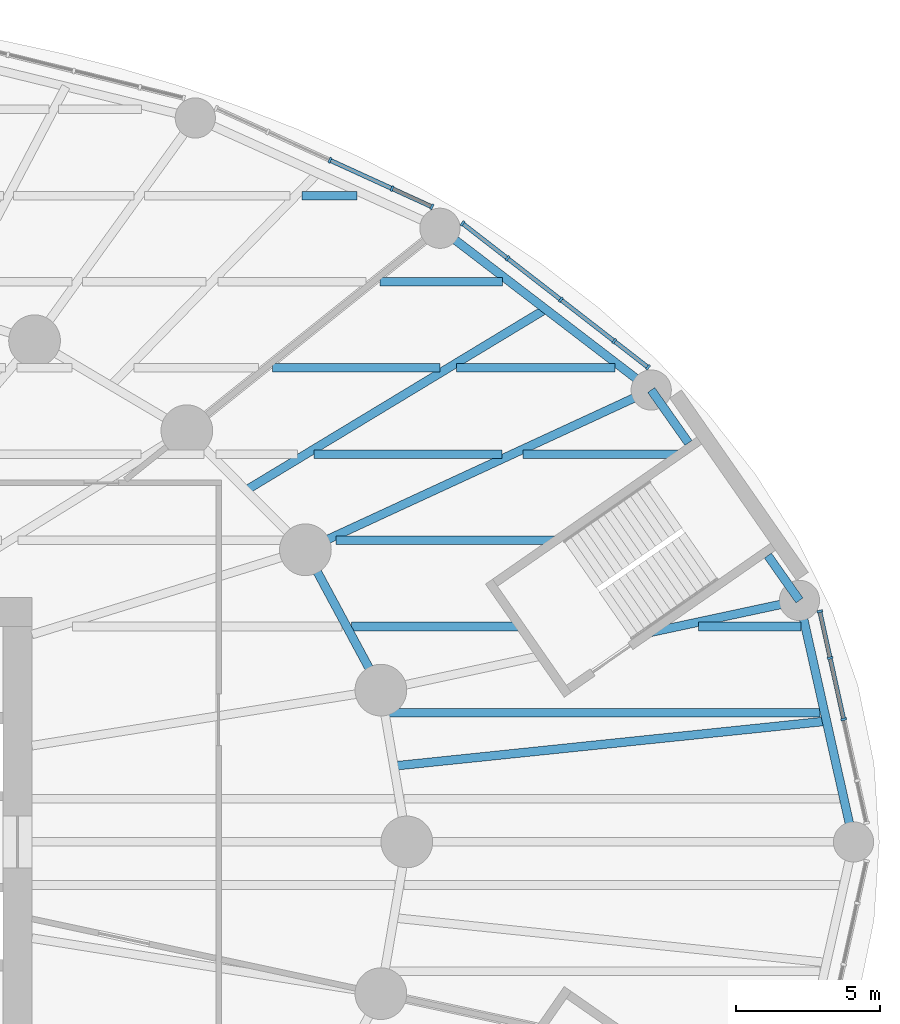
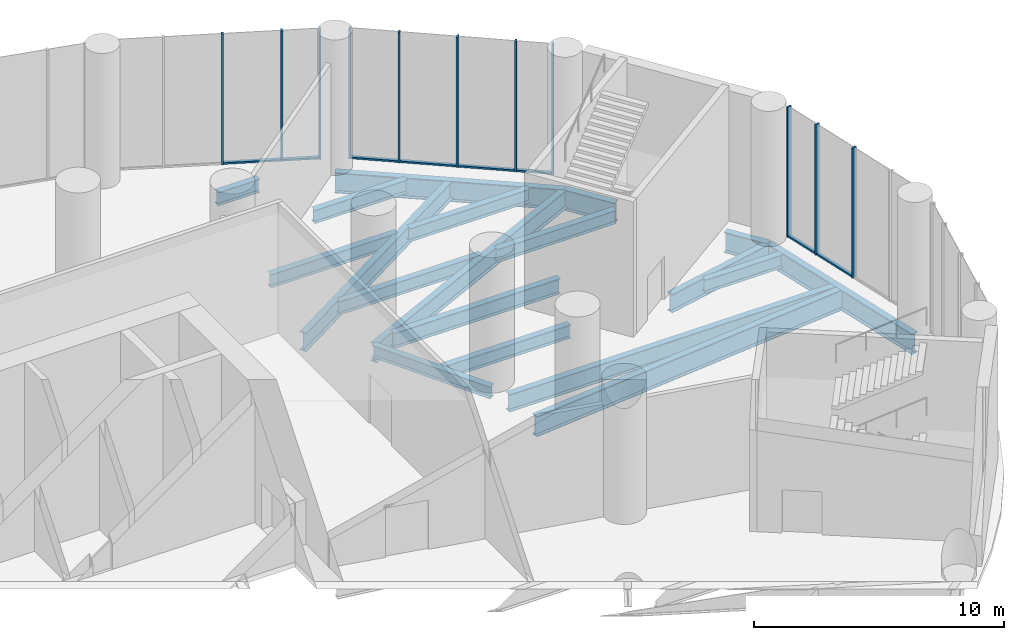
# One storey, part 12 of 22: 19 beams, 19 members, 3 elements without a shape of their own.
"""IFC4 building model written with IfcOpenShell, lengths in metres."""

import ifcopenshell
import ifcopenshell.guid

model = None  # the IFC model being written
_history = None  # IfcOwnerHistory: only IFC2X3 demands one
_inside = {}  # id of a spatial element -> (the spatial element, [elements in it])
_under = {}  # id of a project, library or spatial element -> (it, [spatial elements below it])
_declared = {}  # id of a project -> (the project, [libraries it declares])
_typed = {}  # id of a type object -> (the type object, [elements of that type])
_made_of = {}  # id of a material, layer set ... -> (it, [elements and type objects made of it])


def new_model(schema):
    """Start an empty IFC model of exactly this schema.

    Asked for "IFC4X3", IfcOpenShell would pick the latest addendum, in which some entities
    have other attributes; the version numbers below select the first issue.
    IFC2X3 requires an IfcOwnerHistory on every rooted entity: one is made here for all.
    """
    global model, _history
    if schema == "IFC4X3":
        model = ifcopenshell.file(schema_version=(4, 3, 0, 0))
    else:
        model = ifcopenshell.file(schema=schema)
    _inside.clear()
    _under.clear()
    _declared.clear()
    _typed.clear()
    _made_of.clear()
    _history = None
    if model.schema == "IFC2X3":
        org = make("IfcOrganization", Name="unknown")
        user = make(
            "IfcPersonAndOrganization",
            ThePerson=make("IfcPerson", FamilyName="unknown"),
            TheOrganization=org,
        )
        app = make(
            "IfcApplication",
            ApplicationDeveloper=org,
            Version="unknown",
            ApplicationFullName="unknown",
            ApplicationIdentifier="unknown",
        )
        _history = make(
            "IfcOwnerHistory",
            OwningUser=user,
            OwningApplication=app,
            ChangeAction="ADDED",
            CreationDate=0,
        )
    return model


def make(cls, **values):
    """One entity of the class cls with the attributes given. An attribute that is None is left unset."""
    return model.create_entity(
        cls, **{name: value for name, value in values.items() if value is not None}
    )


def rooted(cls, **values):
    """An entity with a GlobalId (a new one), such as an element, a storey or a relation."""
    return make(cls, GlobalId=ifcopenshell.guid.new(), OwnerHistory=_history, **values)


def si_unit(unit_type, name, prefix=None):
    """IfcSIUnit, for example si_unit("LENGTHUNIT", "METRE", prefix="MILLI")."""
    return make("IfcSIUnit", UnitType=unit_type, Prefix=prefix, Name=name)


def assignment(units):
    """IfcUnitAssignment: the units of a project."""
    return None if units is None else make("IfcUnitAssignment", Units=units)


def point(xyz):
    """IfcCartesianPoint."""
    return None if xyz is None else make("IfcCartesianPoint", Coordinates=xyz)


def direction(xyz):
    """IfcDirection."""
    return None if xyz is None else make("IfcDirection", DirectionRatios=xyz)


def frame(location, z_axis=None, x_axis=None):
    """IfcAxis2Placement3D, a coordinate frame: its origin and axes. An axis left out is left unset."""
    return make(
        "IfcAxis2Placement3D",
        Location=point(location),
        Axis=direction(z_axis),
        RefDirection=direction(x_axis),
    )


def frame_2d(location, x_axis=None):
    """IfcAxis2Placement2D, a coordinate frame in the plane: its origin and x axis."""
    return make(
        "IfcAxis2Placement2D", Location=point(location), RefDirection=direction(x_axis)
    )


def origin():
    """The frame at (0, 0, 0) with its axes left unset."""
    return frame((0.0, 0.0, 0.0))


def origin_2d():
    """The frame at (0, 0) in the plane with its x axis left unset."""
    return frame_2d((0.0, 0.0))


def place(relative_to, where):
    """IfcLocalPlacement: puts the frame where relative to a parent placement (None: the world)."""
    return make(
        "IfcLocalPlacement", PlacementRelTo=relative_to, RelativePlacement=where
    )


def context(
    kind, dimensions, precision=None, world=None, true_north=None, identifier=None
):
    """IfcGeometricRepresentationContext, for example the 3D "Model" context."""
    return make(
        "IfcGeometricRepresentationContext",
        ContextIdentifier=identifier,
        ContextType=kind,
        CoordinateSpaceDimension=dimensions,
        Precision=precision,
        WorldCoordinateSystem=world,
        TrueNorth=true_north,
    )


def subcontext(parent, identifier, kind, view, scale=None):
    """IfcGeometricRepresentationSubContext, for example "Body" below "Model"."""
    return make(
        "IfcGeometricRepresentationSubContext",
        ContextIdentifier=identifier,
        ContextType=kind,
        ParentContext=parent,
        TargetScale=scale,
        TargetView=view,
    )


def project(units=None, contexts=None):
    """IfcProject with its units and contexts."""
    return rooted(
        "IfcProject",
        Name="project",
        RepresentationContexts=contexts,
        UnitsInContext=assignment(units),
    )


def spatial(cls, under=None, at=None, **own):
    """A site, building, storey or space (cls), placed at a placement, below another one or the project."""
    s = rooted(cls, ObjectPlacement=at, **own)
    if under is not None:
        _under.setdefault(under.id(), (under, []))[1].append(s)
    return s


def profile(cls, at=None, kind="AREA", **sizes):
    """A parametric profile (cls). Its sizes go by their IFC names, for example OverallWidth=200.0."""
    return make(cls, ProfileType=kind, Position=at, **sizes)


def rectangle(**sizes):
    """IfcRectangleProfileDef."""
    return profile("IfcRectangleProfileDef", **sizes)


def i_section(**sizes):
    """IfcIShapeProfileDef."""
    return profile("IfcIShapeProfileDef", **sizes)


def extrude(swept, where, along, depth):
    """IfcExtrudedAreaSolid: the profile swept, set in the frame where, extruded along a direction by depth."""
    return make(
        "IfcExtrudedAreaSolid",
        SweptArea=swept,
        Position=where,
        ExtrudedDirection=direction(along),
        Depth=depth,
    )


def shape(context_of_items, identifier, shape_type, items):
    """IfcShapeRepresentation: the items that make up one representation, for example the "Body"."""
    return make(
        "IfcShapeRepresentation",
        ContextOfItems=context_of_items,
        RepresentationIdentifier=identifier,
        RepresentationType=shape_type,
        Items=items,
    )


def material(Name=None, Category=None):
    """IfcMaterial."""
    return make("IfcMaterial", Name=Name, Category=Category)


def material_profile(
    of_material, cross_section, Name=None, Category=None, Priority=None
):
    """IfcMaterialProfile: a cross section and its material."""
    return make(
        "IfcMaterialProfile",
        Name=Name,
        Material=of_material,
        Profile=cross_section,
        Priority=Priority,
        Category=Category,
    )


def profile_set(profiles, Name=None, composite=None):
    """IfcMaterialProfileSet."""
    return make(
        "IfcMaterialProfileSet",
        Name=Name,
        MaterialProfiles=profiles,
        CompositeProfile=composite,
    )


def made_of(thing, what):
    """Note that an element or type object is made of a material, layer set ...; save() writes the relation."""
    if what is not None:
        _made_of.setdefault(what.id(), (what, []))[1].append(thing)
    return thing


def type_object(cls, material=None, **own):
    """A type object (cls), such as IfcWallType, which elements share."""
    return made_of(rooted(cls, **own), material)


def element(
    cls,
    number,
    at=None,
    inside=None,
    cuts=None,
    type_object=None,
    material=None,
    context=None,
    identifier="Body",
    shape_type=None,
    held_by="IfcProductDefinitionShape",
    body=None,
    shapes=None,
    **own,
):
    """One element of the class cls, such as IfcWall. Its Tag is "e" and its number.

    at: its placement. inside: the storey or other place that contains it. cuts: it is an
    opening in that element (IfcRelVoidsElement). A single representation is given by context,
    identifier, shape_type and body (its items); several are given by shapes. held_by: the class
    of the entity that holds the representations. save() writes the other relations.
    """
    e = rooted(cls, Tag="e%d" % number, ObjectPlacement=at, **own)
    if body is not None:
        shapes = [shape(context, identifier, shape_type, body)]
    if shapes is not None:
        e.Representation = make(held_by, Representations=shapes)
    if inside is not None:
        _inside.setdefault(inside.id(), (inside, []))[1].append(e)
    if cuts is not None:
        rooted(
            "IfcRelVoidsElement", RelatingBuildingElement=cuts, RelatedOpeningElement=e
        )
    if type_object is not None:
        _typed.setdefault(type_object.id(), (type_object, []))[1].append(e)
    return made_of(e, material)


def aggregate(whole, parts):
    """IfcRelAggregates: a whole, such as a stair, and the parts it consists of."""
    return rooted("IfcRelAggregates", RelatingObject=whole, RelatedObjects=parts)


def save(model, path):
    """Write the relations noted so far, then the file.

    IfcRelAggregates (storeys below a building ...), IfcRelContainedInSpatialStructure (elements
    in a storey), IfcRelDefinesByType, IfcRelAssociatesMaterial and IfcRelDeclares: one each for
    every whole, place, type object, material and project.
    """
    for whole, parts in _under.values():
        aggregate(whole, parts)
    for where, things in _inside.values():
        rooted(
            "IfcRelContainedInSpatialStructure",
            RelatedElements=things,
            RelatingStructure=where,
        )
    for kind, things in _typed.values():
        rooted("IfcRelDefinesByType", RelatedObjects=things, RelatingType=kind)
    for what, things in _made_of.values():
        rooted("IfcRelAssociatesMaterial", RelatedObjects=things, RelatingMaterial=what)
    for by, libraries in _declared.values():
        rooted("IfcRelDeclares", RelatingContext=by, RelatedDefinitions=libraries)
    model.write(path)


model = new_model("IFC4")

# Units and contexts
model_context = context("Model", 3, precision=1e-05, world=origin(), true_north=direction((0.0, 1.0)))
body_context = subcontext(model_context, "Body", "Model", "MODEL_VIEW")
ifc_project = project(units=[si_unit("LENGTHUNIT", "METRE"), si_unit("AREAUNIT", "SQUARE_METRE"), si_unit("VOLUMEUNIT", "CUBIC_METRE"), si_unit("PLANEANGLEUNIT", "RADIAN"), si_unit("MASSUNIT", "GRAM", prefix="KILO")], contexts=[model_context])

# Site, building, storey
site_placement = place(None, origin())
site = spatial("IfcSite", under=ifc_project, at=site_placement, CompositionType="ELEMENT")
building_placement = place(site_placement, origin())
building = spatial("IfcBuilding", under=site, at=building_placement, Name="Hankou Lantern Tower", CompositionType="ELEMENT")
storey_placement = place(building_placement, frame((0.0, 0.0, 7.199951171875)))
storey = spatial("IfcBuildingStorey", under=building, at=storey_placement, Name="L01", CompositionType="ELEMENT", Elevation=7.199951171875)

# Beam
ifc_material_1 = material(Name="Steel Q355B", Category="steel")
ifc_material_profile_1 = material_profile(ifc_material_1, i_section(OverallWidth=0.300048828125, OverallDepth=0.587890625, WebThickness=0.011962890625, FlangeThickness=0.02001953125, FilletRadius=0.01806640625, at=origin_2d()), Name="HM588x300x12x20")
ifc_profile_set_1 = profile_set([ifc_material_profile_1], Name="Steel Q355B")
beam_type_1 = type_object("IfcBeamType", Name="EB16 RING BEAM HM588x300x12x20", PredefinedType="SPANDREL", material=ifc_profile_set_1)
beam_1_placement = place(storey_placement, frame((24.64697265625, 5.283203125, -0.5439453125), z_axis=(-0.473609096023, 0.880735161194, 0.0), x_axis=(-0.880735161194, -0.473609096023, 0.0)))
element("IfcBeam", 1, at=beam_1_placement, inside=storey, type_object=beam_type_1, Name="Ring beam R02-R03 L01", PredefinedType="SPANDREL", context=body_context, shape_type="SweptSolid", body=[
    extrude(i_section(OverallWidth=0.300048828125, OverallDepth=0.587890625, WebThickness=0.011962890625, FlangeThickness=0.02001953125, FilletRadius=0.01806640625, at=origin_2d()), origin(), (0.0, 0.0, 1.0), 5.548828125),
])

# Curtain wall, members
ifc_material_2 = material(Name="Glass, dark grey tinted laminated", Category="glass")
curtain_wall_type = type_object("IfcCurtainWallType", Name="CWP PODIUM CURTAIN WALL", PredefinedType="USERDEFINED", material=ifc_material_2)
curtain_wall_1_placement = place(storey_placement, origin())
curtain_wall_1 = element("IfcCurtainWall", 2, at=curtain_wall_1_placement, inside=storey, type_object=curtain_wall_type, Name="CWP L01 PC01", ObjectType="PODIUM GLAZING", PredefinedType="USERDEFINED")
ifc_material_3 = material(Name="Aluminium, black anodised", Category="aluminium")
ifc_material_profile_2 = material_profile(ifc_material_3, rectangle(XDim=0.080078125, YDim=0.199951171875, at=origin_2d()), Name="MU2 80X200")
ifc_profile_set_2 = profile_set([ifc_material_profile_2], Name="Aluminium, black anodised")
member_type_1 = type_object("IfcMemberType", Name="MU2 PODIUM MULLION 80X200", PredefinedType="MULLION", material=ifc_profile_set_2)
member_1_placement = place(storey_placement, frame((33.945068359375, 16.520751953125, 0.0), z_axis=(0.0, 0.0, 1.0), x_axis=(-0.790129760642, 0.612939606608, 0.0)))
member_1 = element("IfcMember", 3, at=member_1_placement, type_object=member_type_1, Name="CWP mullion 1", PredefinedType="MULLION", context=body_context, shape_type="SweptSolid", body=[
    extrude(rectangle(XDim=0.080078125, YDim=0.199951171875, at=origin_2d()), origin(), (0.0, 0.0, 1.0), 6.35009765625),
])
member_2_placement = place(storey_placement, frame((32.76806640625, 17.433837890625, 0.0), z_axis=(0.0, 0.0, 1.0), x_axis=(-0.790129760642, 0.612939606608, 0.0)))
member_2 = element("IfcMember", 4, at=member_2_placement, type_object=member_type_1, Name="CWP mullion 2", PredefinedType="MULLION", context=body_context, shape_type="SweptSolid", body=[
    extrude(rectangle(XDim=0.080078125, YDim=0.199951171875, at=origin_2d()), origin(), (0.0, 0.0, 1.0), 6.35009765625),
])
member_3_placement = place(storey_placement, frame((30.91064453125, 18.874755859375, 0.0), z_axis=(0.0, 0.0, 1.0), x_axis=(-0.790129760642, 0.612939606608, 0.0)))
member_3 = element("IfcMember", 5, at=member_3_placement, type_object=member_type_1, Name="CWP mullion 3", PredefinedType="MULLION", context=body_context, shape_type="SweptSolid", body=[
    extrude(rectangle(XDim=0.080078125, YDim=0.199951171875, at=origin_2d()), origin(), (0.0, 0.0, 1.0), 6.35009765625),
])
member_4_placement = place(storey_placement, frame((29.05322265625, 20.315673828125, 0.0), z_axis=(0.0, 0.0, 1.0), x_axis=(-0.790129760642, 0.612939606608, 0.0)))
member_4 = element("IfcMember", 6, at=member_4_placement, type_object=member_type_1, Name="CWP mullion 4", PredefinedType="MULLION", context=body_context, shape_type="SweptSolid", body=[
    extrude(rectangle(XDim=0.080078125, YDim=0.199951171875, at=origin_2d()), origin(), (0.0, 0.0, 1.0), 6.35009765625),
])
member_5_placement = place(storey_placement, frame((27.487060546875, 21.530517578125, 0.0), z_axis=(0.0, 0.0, 1.0), x_axis=(-0.790129760642, 0.612939606608, 0.0)))
member_5 = element("IfcMember", 7, at=member_5_placement, type_object=member_type_1, Name="CWP mullion 5", PredefinedType="MULLION", context=body_context, shape_type="SweptSolid", body=[
    extrude(rectangle(XDim=0.080078125, YDim=0.199951171875, at=origin_2d()), origin(), (0.0, 0.0, 1.0), 6.35009765625),
])

curtain_wall_2_placement = place(storey_placement, origin())
curtain_wall_2 = element("IfcCurtainWall", 8, at=curtain_wall_2_placement, inside=storey, type_object=curtain_wall_type, Name="CWP L01 PC02", ObjectType="PODIUM GLAZING", PredefinedType="USERDEFINED")
member_6_placement = place(storey_placement, frame((26.421630859375, 22.10986328125, 0.0), z_axis=(0.0, 0.0, 1.0), x_axis=(-0.909669790944, 0.41533224224, 0.0)))
member_6 = element("IfcMember", 9, at=member_6_placement, type_object=member_type_1, Name="CWP mullion 1", PredefinedType="MULLION", context=body_context, shape_type="SweptSolid", body=[
    extrude(rectangle(XDim=0.080078125, YDim=0.199951171875, at=origin_2d()), origin(), (0.0, 0.0, 1.0), 6.35009765625),
])
member_7_placement = place(storey_placement, frame((25.034423828125, 22.743408203125, 0.0), z_axis=(0.0, 0.0, 1.0), x_axis=(-0.909669790944, 0.41533224224, 0.0)))
member_7 = element("IfcMember", 10, at=member_7_placement, type_object=member_type_1, Name="CWP mullion 2", PredefinedType="MULLION", context=body_context, shape_type="SweptSolid", body=[
    extrude(rectangle(XDim=0.080078125, YDim=0.199951171875, at=origin_2d()), origin(), (0.0, 0.0, 1.0), 6.35009765625),
])
member_8_placement = place(storey_placement, frame((22.873046875, 23.730224609375, 0.0), z_axis=(0.0, 0.0, 1.0), x_axis=(-0.909669790944, 0.41533224224, 0.0)))
member_8 = element("IfcMember", 11, at=member_8_placement, type_object=member_type_1, Name="CWP mullion 3", PredefinedType="MULLION", context=body_context, shape_type="SweptSolid", body=[
    extrude(rectangle(XDim=0.080078125, YDim=0.199951171875, at=origin_2d()), origin(), (0.0, 0.0, 1.0), 6.35009765625),
])

curtain_wall_3_placement = place(storey_placement, origin())
curtain_wall_3 = element("IfcCurtainWall", 12, at=curtain_wall_3_placement, inside=storey, type_object=curtain_wall_type, Name="CWP L01 PC20", ObjectType="PODIUM GLAZING", PredefinedType="USERDEFINED")
member_9_placement = place(storey_placement, frame((40.7568359375, 4.267333984375, 0.0), z_axis=(0.0, 0.0, 1.0), x_axis=(-0.215821488116, 0.976432837049, 0.0)))
member_9 = element("IfcMember", 13, at=member_9_placement, type_object=member_type_1, Name="CWP mullion 3", PredefinedType="MULLION", context=body_context, shape_type="SweptSolid", body=[
    extrude(rectangle(XDim=0.080078125, YDim=0.199951171875, at=origin_2d()), origin(), (0.0, 0.0, 1.0), 6.35009765625),
])
member_10_placement = place(storey_placement, frame((40.28515625, 6.40087890625, 0.0), z_axis=(0.0, 0.0, 1.0), x_axis=(-0.215821488116, 0.976432837049, 0.0)))
member_10 = element("IfcMember", 14, at=member_10_placement, type_object=member_type_1, Name="CWP mullion 4", PredefinedType="MULLION", context=body_context, shape_type="SweptSolid", body=[
    extrude(rectangle(XDim=0.080078125, YDim=0.199951171875, at=origin_2d()), origin(), (0.0, 0.0, 1.0), 6.35009765625),
])
member_11_placement = place(storey_placement, frame((39.925537109375, 8.028564453125, 0.0), z_axis=(0.0, 0.0, 1.0), x_axis=(-0.215821488116, 0.976432837049, 0.0)))
member_11 = element("IfcMember", 15, at=member_11_placement, type_object=member_type_1, Name="CWP mullion 5", PredefinedType="MULLION", context=body_context, shape_type="SweptSolid", body=[
    extrude(rectangle(XDim=0.080078125, YDim=0.199951171875, at=origin_2d()), origin(), (0.0, 0.0, 1.0), 6.35009765625),
])

# Beams
ifc_material_4 = material(Name="Steel Q355B", Category="steel")
ifc_material_profile_3 = material_profile(ifc_material_4, i_section(OverallWidth=0.300048828125, OverallDepth=0.89990234375, WebThickness=0.01611328125, FlangeThickness=0.028076171875, FilletRadius=0.01806640625, at=origin_2d()), Name="HN900x300x16x28")
ifc_profile_set_3 = profile_set([ifc_material_profile_3], Name="Steel Q355B")
beam_type_2 = type_object("IfcBeamType", Name="PB13 PODIUM RADIAL BEAM HN900x300x16x28", PredefinedType="BEAM", material=ifc_profile_set_3)
beam_2_placement = place(storey_placement, frame((34.01025390625, 7.29052734375, -0.699951171875), z_axis=(0.977788323488, 0.209594834028, 0.0), x_axis=(-0.209594834028, 0.977788323488, 0.0)))
element("IfcBeam", 16, at=beam_2_placement, inside=storey, type_object=beam_type_2, Name="Podium radial beam R02 L01 outer part", PredefinedType="BEAM", context=body_context, shape_type="SweptSolid", body=[
    extrude(i_section(OverallWidth=0.300048828125, OverallDepth=0.89990234375, WebThickness=0.01611328125, FlangeThickness=0.028076171875, FilletRadius=0.01806640625, at=origin_2d()), origin(), (0.0, 0.0, 1.0), 5.32568359375),
])
beam_3_placement = place(storey_placement, frame((22.01904296875, 10.170166015625, -0.699951171875), z_axis=(0.907840792808, 0.419315030633, 0.0), x_axis=(-0.419315030633, 0.907840792808, 0.0)))
element("IfcBeam", 17, at=beam_3_placement, inside=storey, type_object=beam_type_2, Name="Podium radial beam R03 L01", PredefinedType="BEAM", context=body_context, shape_type="SweptSolid", body=[
    extrude(i_section(OverallWidth=0.300048828125, OverallDepth=0.89990234375, WebThickness=0.01611328125, FlangeThickness=0.028076171875, FilletRadius=0.01806640625, at=origin_2d()), origin(), (0.0, 0.0, 1.0), 13.259765625),
])
ifc_material_5 = material(Name="Steel Q355B", Category="steel")
ifc_material_profile_4 = material_profile(ifc_material_5, i_section(OverallWidth=0.300048828125, OverallDepth=1.0, WebThickness=0.01904296875, FlangeThickness=0.035888671875, FilletRadius=0.01806640625, at=origin_2d()), Name="HN1000x300x19x36")
ifc_profile_set_4 = profile_set([ifc_material_profile_4], Name="Steel Q355B")
beam_type_3 = type_object("IfcBeamType", Name="PR22 PODIUM RING BEAM HN1000x300x19x36", PredefinedType="BEAM", material=ifc_profile_set_4)
beam_4_placement = place(storey_placement, frame((41.10009765625, 0.0, -0.75), z_axis=(-0.218523498172, 0.975831686689, 0.0), x_axis=(-0.975831686689, -0.218523498172, 0.0)))
element("IfcBeam", 18, at=beam_4_placement, inside=storey, type_object=beam_type_3, Name="Podium ring beam R01-R02 L01", PredefinedType="BEAM", context=body_context, shape_type="SweptSolid", body=[
    extrude(i_section(OverallWidth=0.300048828125, OverallDepth=1.0, WebThickness=0.01904296875, FlangeThickness=0.035888671875, FilletRadius=0.01806640625, at=origin_2d()), origin(), (0.0, 0.0, 1.0), 8.614990234375),
])
beam_5_placement = place(storey_placement, frame((39.217529296875, 8.40673828125, -0.75), z_axis=(-0.576019631526, 0.817435859317, 0.0), x_axis=(-0.817435859317, -0.576019631526, 0.0)))
element("IfcBeam", 19, at=beam_5_placement, inside=storey, type_object=beam_type_3, Name="Podium ring beam R02-R03 L01 west part", PredefinedType="BEAM", context=body_context, shape_type="SweptSolid", body=[
    extrude(i_section(OverallWidth=0.300048828125, OverallDepth=1.0, WebThickness=0.01904296875, FlangeThickness=0.035888671875, FilletRadius=0.01806640625, at=origin_2d()), origin(), (0.0, 0.0, 1.0), 1.9072265625),
])
beam_6_placement = place(storey_placement, frame((35.35400390625, 13.889404296875, -0.75), z_axis=(-0.576006222853, 0.817445307794, 0.0), x_axis=(-0.817445307794, -0.576006222853, 0.0)))
element("IfcBeam", 20, at=beam_6_placement, inside=storey, type_object=beam_type_3, Name="Podium ring beam R02-R03 L01 east part", PredefinedType="BEAM", context=body_context, shape_type="SweptSolid", body=[
    extrude(i_section(OverallWidth=0.300048828125, OverallDepth=1.0, WebThickness=0.01904296875, FlangeThickness=0.035888671875, FilletRadius=0.01806640625, at=origin_2d()), origin(), (0.0, 0.0, 1.0), 2.251953125),
])
beam_7_placement = place(storey_placement, frame((34.056884765625, 15.730224609375, -0.75), z_axis=(-0.793985875103, 0.607936205647, 0.0), x_axis=(-0.607936205647, -0.793985875103, 0.0)))
element("IfcBeam", 21, at=beam_7_placement, inside=storey, type_object=beam_type_3, Name="Podium ring beam R03-R04 L01", PredefinedType="BEAM", context=body_context, shape_type="SweptSolid", body=[
    extrude(i_section(OverallWidth=0.300048828125, OverallDepth=1.0, WebThickness=0.01904296875, FlangeThickness=0.035888671875, FilletRadius=0.01806640625, at=origin_2d()), origin(), (0.0, 0.0, 1.0), 9.262939453125),
])
ifc_material_6 = material(Name="Steel Q355B", Category="steel")
ifc_material_profile_5 = material_profile(ifc_material_6, i_section(OverallWidth=0.300048828125, OverallDepth=0.89990234375, WebThickness=0.01611328125, FlangeThickness=0.028076171875, FilletRadius=0.01806640625, at=origin_2d()), Name="HN900x300x16x28")
ifc_profile_set_5 = profile_set([ifc_material_profile_5], Name="Steel Q355B")
beam_type_4 = type_object("IfcBeamType", Name="PS13 PODIUM SECONDARY BEAM HN900x300x16x28", PredefinedType="JOIST", material=ifc_profile_set_5)
beam_8_placement = place(storey_placement, frame((19.955322265625, 12.24169921875, -0.699951171875), z_axis=(0.855685755165, 0.517495785884, 0.0), x_axis=(-0.517495785884, 0.855685755165, 0.0)))
element("IfcBeam", 22, at=beam_8_placement, inside=storey, type_object=beam_type_4, Name="Podium secondary beam bay R03 L01", PredefinedType="JOIST", context=body_context, shape_type="SweptSolid", body=[
    extrude(i_section(OverallWidth=0.300048828125, OverallDepth=0.89990234375, WebThickness=0.01611328125, FlangeThickness=0.028076171875, FilletRadius=0.01806640625, at=origin_2d()), origin(), (0.0, 0.0, 1.0), 12.18212890625),
])
ifc_material_7 = material(Name="Steel Q355B", Category="steel")
ifc_material_profile_6 = material_profile(ifc_material_7, i_section(OverallWidth=0.300048828125, OverallDepth=1.0, WebThickness=0.01904296875, FlangeThickness=0.035888671875, FilletRadius=0.01806640625, at=origin_2d()), Name="HN1000x300x19x36")
ifc_profile_set_6 = profile_set([ifc_material_profile_6], Name="Steel Q355B")
beam_type_5 = type_object("IfcBeamType", Name="PS22 PODIUM SECONDARY BEAM HN1000x300x19x36", PredefinedType="JOIST", material=ifc_profile_set_6)
beam_9_placement = place(storey_placement, frame((25.098388671875, 2.6416015625, -0.75), z_axis=(0.994666039581, 0.103147805132, 0.0), x_axis=(-0.103147805132, 0.994666039581, 0.0)))
element("IfcBeam", 23, at=beam_9_placement, inside=storey, type_object=beam_type_5, Name="Podium secondary beam bay R01 L01", PredefinedType="JOIST", context=body_context, shape_type="SweptSolid", body=[
    extrude(i_section(OverallWidth=0.300048828125, OverallDepth=1.0, WebThickness=0.01904296875, FlangeThickness=0.035888671875, FilletRadius=0.01806640625, at=origin_2d()), origin(), (0.0, 0.0, 1.0), 15.14111328125),
])
ifc_material_8 = material(Name="Steel Q355B", Category="steel")
ifc_material_profile_7 = material_profile(ifc_material_8, i_section(OverallWidth=0.300048828125, OverallDepth=0.75, WebThickness=0.012939453125, FlangeThickness=0.02392578125, FilletRadius=0.01806640625, at=origin_2d()), Name="HN750x300x13x24")
ifc_profile_set_7 = profile_set([ifc_material_profile_7], Name="Steel Q355B")
beam_type_6 = type_object("IfcBeamType", Name="SB10 SECONDARY BEAM HN750x300x13x24", PredefinedType="JOIST", material=ifc_profile_set_7)
beam_10_placement = place(storey_placement, frame((23.0908203125, 10.5, -0.625), z_axis=(1.0, 0.0, 0.0), x_axis=(0.0, 1.0, 0.0)))
element("IfcBeam", 24, at=beam_10_placement, inside=storey, type_object=beam_type_6, Name="Floor joist J110 L01", PredefinedType="JOIST", context=body_context, shape_type="SweptSolid", body=[
    extrude(i_section(OverallWidth=0.300048828125, OverallDepth=0.75, WebThickness=0.012939453125, FlangeThickness=0.02392578125, FilletRadius=0.01806640625, at=origin_2d()), origin(), (0.0, 0.0, 1.0), 7.653076171875),
])
ifc_material_9 = material(Name="Steel Q355B", Category="steel")
ifc_material_profile_8 = material_profile(ifc_material_9, i_section(OverallWidth=0.300048828125, OverallDepth=0.85009765625, WebThickness=0.01611328125, FlangeThickness=0.027099609375, FilletRadius=0.01806640625, at=origin_2d()), Name="HN850x300x16x27")
ifc_profile_set_8 = profile_set([ifc_material_profile_8], Name="Steel Q355B")
beam_type_7 = type_object("IfcBeamType", Name="SB12 SECONDARY BEAM HN850x300x16x27", PredefinedType="JOIST", material=ifc_profile_set_8)
beam_11_placement = place(storey_placement, frame((24.93310546875, 4.5, -0.675048828125), z_axis=(1.0, 0.0, 0.0), x_axis=(0.0, 1.0, 0.0)))
element("IfcBeam", 25, at=beam_11_placement, inside=storey, type_object=beam_type_7, Name="Floor joist J094 L01", PredefinedType="JOIST", context=body_context, shape_type="SweptSolid", body=[
    extrude(i_section(OverallWidth=0.300048828125, OverallDepth=0.85009765625, WebThickness=0.01611328125, FlangeThickness=0.027099609375, FilletRadius=0.01806640625, at=origin_2d()), origin(), (0.0, 0.0, 1.0), 15.005615234375),
])
ifc_material_10 = material(Name="Steel Q355B", Category="steel")
ifc_material_profile_9 = material_profile(ifc_material_10, i_section(OverallWidth=0.300048828125, OverallDepth=0.64990234375, WebThickness=0.010986328125, FlangeThickness=0.01708984375, FilletRadius=0.01806640625, at=origin_2d()), Name="HN650x300x11x17")
ifc_profile_set_9 = profile_set([ifc_material_profile_9], Name="Steel Q355B")
beam_type_8 = type_object("IfcBeamType", Name="SB8 SECONDARY BEAM HN650x300x11x17", PredefinedType="JOIST", material=ifc_profile_set_9)
beam_12_placement = place(storey_placement, frame((23.625244140625, 7.5, -0.574951171875), z_axis=(1.0, 0.0, 0.0), x_axis=(0.0, 1.0, 0.0)))
element("IfcBeam", 26, at=beam_12_placement, inside=storey, type_object=beam_type_8, Name="Floor joist J099 L01", PredefinedType="JOIST", context=body_context, shape_type="SweptSolid", body=[
    extrude(i_section(OverallWidth=0.300048828125, OverallDepth=0.64990234375, WebThickness=0.010986328125, FlangeThickness=0.01708984375, FilletRadius=0.01806640625, at=origin_2d()), origin(), (0.0, 0.0, 1.0), 5.87158203125),
])
beam_13_placement = place(storey_placement, frame((35.70361328125, 7.5, -0.574951171875), z_axis=(1.0, 0.0, 0.0), x_axis=(0.0, 1.0, 0.0)))
element("IfcBeam", 27, at=beam_13_placement, inside=storey, type_object=beam_type_8, Name="Floor joist J100 L01", PredefinedType="JOIST", context=body_context, shape_type="SweptSolid", body=[
    extrude(i_section(OverallWidth=0.300048828125, OverallDepth=0.64990234375, WebThickness=0.010986328125, FlangeThickness=0.01708984375, FilletRadius=0.01806640625, at=origin_2d()), origin(), (0.0, 0.0, 1.0), 3.563232421875),
])
beam_14_placement = place(storey_placement, frame((22.32568359375, 13.5, -0.574951171875), z_axis=(1.0, 0.0, 0.0), x_axis=(0.0, 1.0, 0.0)))
element("IfcBeam", 28, at=beam_14_placement, inside=storey, type_object=beam_type_8, Name="Floor joist J123 L01", PredefinedType="JOIST", context=body_context, shape_type="SweptSolid", body=[
    extrude(i_section(OverallWidth=0.300048828125, OverallDepth=0.64990234375, WebThickness=0.010986328125, FlangeThickness=0.01708984375, FilletRadius=0.01806640625, at=origin_2d()), origin(), (0.0, 0.0, 1.0), 6.544921875),
])
beam_15_placement = place(storey_placement, frame((29.586181640625, 13.5, -0.574951171875), z_axis=(1.0, 0.0, 0.0), x_axis=(0.0, 1.0, 0.0)))
element("IfcBeam", 29, at=beam_15_placement, inside=storey, type_object=beam_type_8, Name="Floor joist J124 L01", PredefinedType="JOIST", context=body_context, shape_type="SweptSolid", body=[
    extrude(i_section(OverallWidth=0.300048828125, OverallDepth=0.64990234375, WebThickness=0.010986328125, FlangeThickness=0.01708984375, FilletRadius=0.01806640625, at=origin_2d()), origin(), (0.0, 0.0, 1.0), 5.470703125),
])
beam_16_placement = place(storey_placement, frame((20.865234375, 16.5, -0.574951171875), z_axis=(1.0, 0.0, 0.0), x_axis=(0.0, 1.0, 0.0)))
element("IfcBeam", 30, at=beam_16_placement, inside=storey, type_object=beam_type_8, Name="Floor joist J135 L01", PredefinedType="JOIST", context=body_context, shape_type="SweptSolid", body=[
    extrude(i_section(OverallWidth=0.300048828125, OverallDepth=0.64990234375, WebThickness=0.010986328125, FlangeThickness=0.01708984375, FilletRadius=0.01806640625, at=origin_2d()), origin(), (0.0, 0.0, 1.0), 5.84130859375),
])
beam_17_placement = place(storey_placement, frame((27.286376953125, 16.5, -0.574951171875), z_axis=(1.0, 0.0, 0.0), x_axis=(0.0, 1.0, 0.0)))
element("IfcBeam", 31, at=beam_17_placement, inside=storey, type_object=beam_type_8, Name="Floor joist J136 L01", PredefinedType="JOIST", context=body_context, shape_type="SweptSolid", body=[
    extrude(i_section(OverallWidth=0.300048828125, OverallDepth=0.64990234375, WebThickness=0.010986328125, FlangeThickness=0.01708984375, FilletRadius=0.01806640625, at=origin_2d()), origin(), (0.0, 0.0, 1.0), 5.518310546875),
])
beam_18_placement = place(storey_placement, frame((24.615234375, 19.5, -0.574951171875), z_axis=(1.0, 0.0, 0.0), x_axis=(0.0, 1.0, 0.0)))
element("IfcBeam", 32, at=beam_18_placement, inside=storey, type_object=beam_type_8, Name="Floor joist J148 L01", PredefinedType="JOIST", context=body_context, shape_type="SweptSolid", body=[
    extrude(i_section(OverallWidth=0.300048828125, OverallDepth=0.64990234375, WebThickness=0.010986328125, FlangeThickness=0.01708984375, FilletRadius=0.01806640625, at=origin_2d()), origin(), (0.0, 0.0, 1.0), 4.271484375),
])
beam_19_placement = place(storey_placement, frame((21.893798828125, 22.5, -0.574951171875), z_axis=(1.0, 0.0, 0.0), x_axis=(0.0, 1.0, 0.0)))
element("IfcBeam", 33, at=beam_19_placement, inside=storey, type_object=beam_type_8, Name="Floor joist J160 L01", PredefinedType="JOIST", context=body_context, shape_type="SweptSolid", body=[
    extrude(i_section(OverallWidth=0.300048828125, OverallDepth=0.64990234375, WebThickness=0.010986328125, FlangeThickness=0.01708984375, FilletRadius=0.01806640625, at=origin_2d()), origin(), (0.0, 0.0, 1.0), 1.917236328125),
])

# Member
ifc_material_11 = material(Name="Aluminium, black anodised", Category="aluminium")
ifc_material_profile_10 = material_profile(ifc_material_11, rectangle(XDim=0.14990234375, YDim=0.080078125, at=origin_2d()), Name="TR2 150X80")
ifc_profile_set_10 = profile_set([ifc_material_profile_10], Name="Aluminium, black anodised")
member_type_2 = type_object("IfcMemberType", Name="TR2 PODIUM TRANSOM 150X80", PredefinedType="USERDEFINED", material=ifc_profile_set_10)
member_12_placement = place(storey_placement, frame((33.913330078125, 16.54541015625, 0.0400390625), z_axis=(-0.790144462034, 0.612920654829, 0.0), x_axis=(-0.612920654829, -0.790144462034, 0.0)))
member_12 = element("IfcMember", 34, at=member_12_placement, type_object=member_type_2, Name="CWP transom 1", ObjectType="TRANSOM", PredefinedType="USERDEFINED", context=body_context, shape_type="SweptSolid", body=[
    extrude(rectangle(XDim=0.14990234375, YDim=0.080078125, at=origin_2d()), origin(), (0.0, 0.0, 1.0), 1.4091796875),
])

member_13_placement = place(storey_placement, frame((32.736572265625, 17.458251953125, 0.0400390625), z_axis=(-0.79016773701, 0.612890648802, 0.0), x_axis=(-0.612890648802, -0.79016773701, 0.0)))
member_13 = element("IfcMember", 35, at=member_13_placement, type_object=member_type_2, Name="CWP transom 2", ObjectType="TRANSOM", PredefinedType="USERDEFINED", context=body_context, shape_type="SweptSolid", body=[
    extrude(rectangle(XDim=0.14990234375, YDim=0.080078125, at=origin_2d()), origin(), (0.0, 0.0, 1.0), 2.27099609375),
])

member_14_placement = place(storey_placement, frame((30.879150390625, 18.899169921875, 0.0400390625), z_axis=(-0.79016773701, 0.612890648802, 0.0), x_axis=(-0.612890648802, -0.79016773701, 0.0)))
member_14 = element("IfcMember", 36, at=member_14_placement, type_object=member_type_2, Name="CWP transom 3", ObjectType="TRANSOM", PredefinedType="USERDEFINED", context=body_context, shape_type="SweptSolid", body=[
    extrude(rectangle(XDim=0.14990234375, YDim=0.080078125, at=origin_2d()), origin(), (0.0, 0.0, 1.0), 2.27099609375),
])

member_15_placement = place(storey_placement, frame((29.021484375, 20.340087890625, 0.0400390625), z_axis=(-0.790098015443, 0.612980526601, 0.0), x_axis=(-0.612980526601, -0.790098015443, 0.0)))
member_15 = element("IfcMember", 37, at=member_15_placement, type_object=member_type_2, Name="CWP transom 4", ObjectType="TRANSOM", PredefinedType="USERDEFINED", context=body_context, shape_type="SweptSolid", body=[
    extrude(rectangle(XDim=0.14990234375, YDim=0.080078125, at=origin_2d()), origin(), (0.0, 0.0, 1.0), 1.902099609375),
])

aggregate(curtain_wall_1, [member_1, member_2, member_3, member_4, member_5, member_12, member_13, member_14, member_15])

member_16_placement = place(storey_placement, frame((26.38525390625, 22.126708984375, 0.0400390625), z_axis=(-0.909682453266, 0.415304507825, 0.0), x_axis=(-0.415304507825, -0.909682453266, 0.0)))
member_16 = element("IfcMember", 38, at=member_16_placement, type_object=member_type_2, Name="CWP transom 1", ObjectType="TRANSOM", PredefinedType="USERDEFINED", context=body_context, shape_type="SweptSolid", body=[
    extrude(rectangle(XDim=0.14990234375, YDim=0.080078125, at=origin_2d()), origin(), (0.0, 0.0, 1.0), 1.445068359375),
])

member_17_placement = place(storey_placement, frame((24.998046875, 22.760009765625, 0.0400390625), z_axis=(-0.909669664149, 0.415332519949, 0.0), x_axis=(-0.415332519949, -0.909669664149, 0.0)))
member_17 = element("IfcMember", 39, at=member_17_placement, type_object=member_type_2, Name="CWP transom 2", ObjectType="TRANSOM", PredefinedType="USERDEFINED", context=body_context, shape_type="SweptSolid", body=[
    extrude(rectangle(XDim=0.14990234375, YDim=0.080078125, at=origin_2d()), origin(), (0.0, 0.0, 1.0), 2.296142578125),
])

aggregate(curtain_wall_2, [member_6, member_7, member_8, member_16, member_17])

member_18_placement = place(storey_placement, frame((40.748291015625, 4.30615234375, 0.0400390625), z_axis=(-0.215812948044, 0.976434724627, 0.0), x_axis=(-0.976434724627, -0.215812948044, 0.0)))
member_18 = element("IfcMember", 40, at=member_18_placement, type_object=member_type_2, Name="CWP transom 3", ObjectType="TRANSOM", PredefinedType="USERDEFINED", context=body_context, shape_type="SweptSolid", body=[
    extrude(rectangle(XDim=0.14990234375, YDim=0.080078125, at=origin_2d()), origin(), (0.0, 0.0, 1.0), 2.105224609375),
])

member_19_placement = place(storey_placement, frame((40.276611328125, 6.43994140625, 0.0400390625), z_axis=(-0.215838955929, 0.976428975965, 0.0), x_axis=(-0.976428975965, -0.215838955929, 0.0)))
member_19 = element("IfcMember", 41, at=member_19_placement, type_object=member_type_2, Name="CWP transom 4", ObjectType="TRANSOM", PredefinedType="USERDEFINED", context=body_context, shape_type="SweptSolid", body=[
    extrude(rectangle(XDim=0.14990234375, YDim=0.080078125, at=origin_2d()), origin(), (0.0, 0.0, 1.0), 1.5869140625),
])

aggregate(curtain_wall_3, [member_9, member_10, member_11, member_18, member_19])

save(model, "model.ifc")
